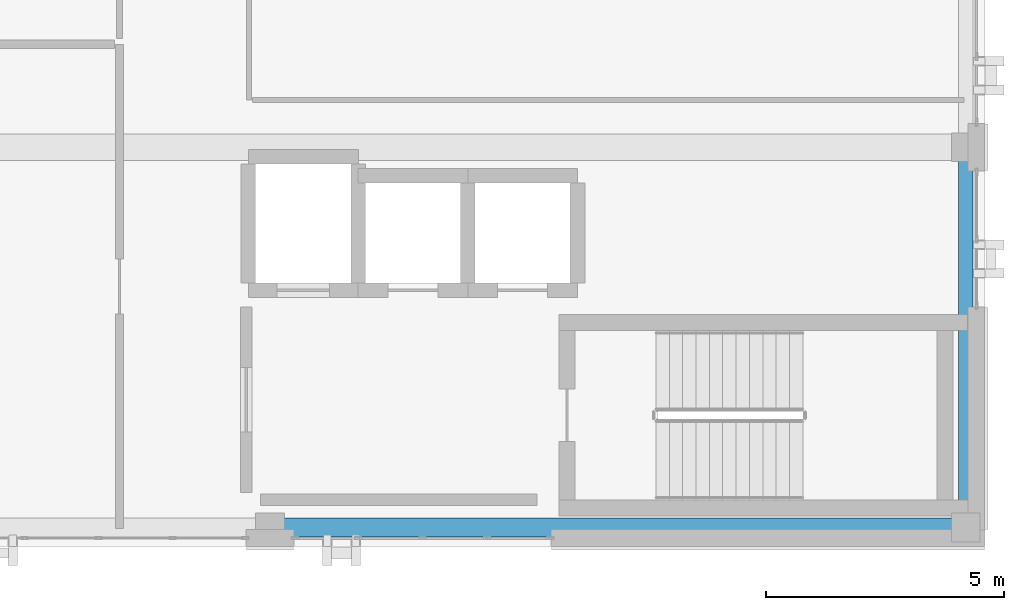
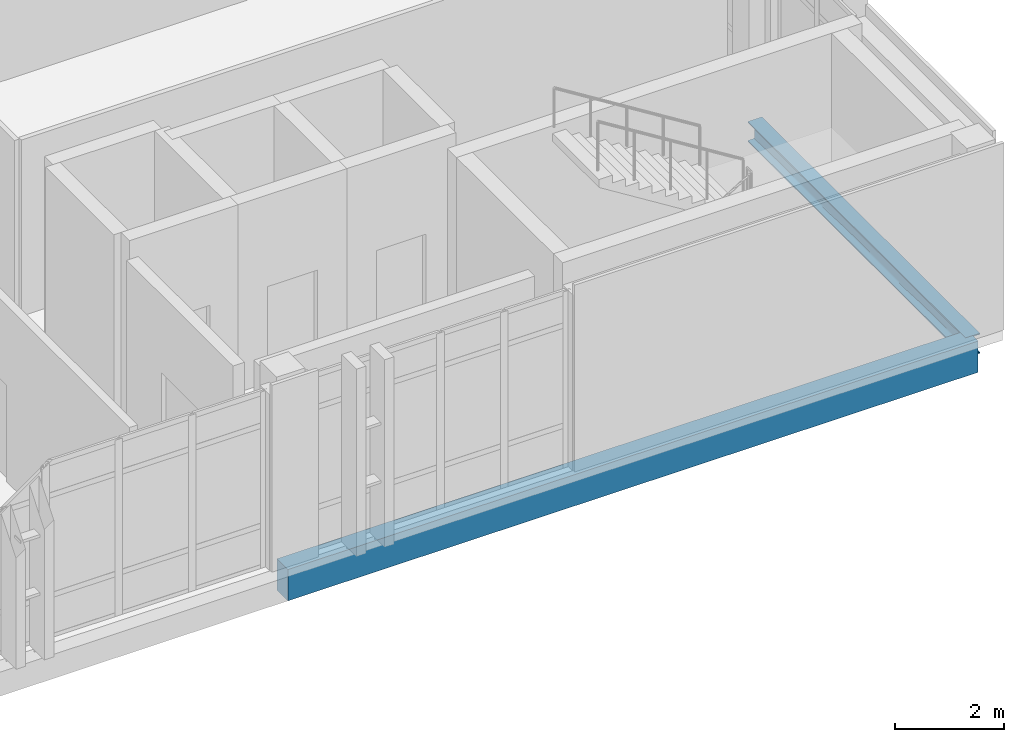
# One storey, part 26 of 48: 2 beams.
"""IFC4 building model written with IfcOpenShell, lengths in metres."""

from ifc_helpers import new_model, si_unit, direction, frame, origin, origin_2d, place, context, subcontext, project, spatial, rectangle, i_section, extrude, material, material_profile, profile_set, type_object, element, save


model = new_model("IFC4")

# Units and contexts
model_context = context("Model", 3, precision=1e-05, world=origin(), true_north=direction((0.0, 1.0)))
body_context = subcontext(model_context, "Body", "Model", "MODEL_VIEW")
ifc_project = project(units=[si_unit("LENGTHUNIT", "METRE"), si_unit("AREAUNIT", "SQUARE_METRE"), si_unit("VOLUMEUNIT", "CUBIC_METRE"), si_unit("PLANEANGLEUNIT", "RADIAN"), si_unit("MASSUNIT", "GRAM", prefix="KILO")], contexts=[model_context])

# Site, building, storey
site_placement = place(None, origin())
site = spatial("IfcSite", under=ifc_project, at=site_placement, CompositionType="ELEMENT")
building_placement = place(site_placement, origin())
building = spatial("IfcBuilding", under=site, at=building_placement, Name="Qalavern Law Courts", CompositionType="ELEMENT")
storey_placement = place(building_placement, frame((0.0, 0.0, 31.199951171875)))
storey = spatial("IfcBuildingStorey", under=building, at=storey_placement, Name="L07", CompositionType="ELEMENT", Elevation=31.199951171875)

# Beams
ifc_material_1 = material(Name="Steel S355", Category="steel")
ifc_material_profile_1 = material_profile(ifc_material_1, i_section(OverallWidth=0.300048828125, OverallDepth=0.449951171875, WebThickness=0.013916015625, FlangeThickness=0.02587890625, FilletRadius=0.027099609375, at=origin_2d()), Name="HEB 450")
ifc_profile_set_1 = profile_set([ifc_material_profile_1], Name="Steel S355")
beam_type_1 = type_object("IfcBeamType", Name="STR-SP-HEB450", PredefinedType="SPANDREL", material=ifc_profile_set_1)
beam_1_placement = place(storey_placement, frame((106.39990234375, 41.419921875, -0.489990234375), z_axis=(0.0, 1.0, 0.0), x_axis=(-1.0, 0.0, 0.0)))
element("IfcBeam", 1, at=beam_1_placement, inside=storey, type_object=beam_type_1, Name="V4 Y-beam 3-1 L07", PredefinedType="SPANDREL", context=body_context, shape_type="SweptSolid", body=[
    extrude(i_section(OverallWidth=0.300048828125, OverallDepth=0.449951171875, WebThickness=0.013916015625, FlangeThickness=0.02587890625, FilletRadius=0.027099609375, at=origin_2d()), origin(), (0.0, 0.0, 1.0), 7.97998046875),
])
ifc_material_2 = material(Name="Concrete C40/50", Category="concrete")
ifc_material_profile_2 = material_profile(ifc_material_2, rectangle(XDim=0.39990234375, YDim=0.699951171875, at=origin_2d()), Name="RC 400x700")
ifc_profile_set_2 = profile_set([ifc_material_profile_2], Name="Concrete C40/50")
beam_type_2 = type_object("IfcBeamType", Name="STR-SP-RC400x700", PredefinedType="SPANDREL", material=ifc_profile_set_2)
beam_2_placement = place(storey_placement, frame((91.800048828125, 41.419921875, -0.614990234375), z_axis=(1.0, 0.0, 0.0), x_axis=(0.0, 1.0, 0.0)))
element("IfcBeam", 2, at=beam_2_placement, inside=storey, type_object=beam_type_2, Name="V4 X-beam 1-2 L07", PredefinedType="SPANDREL", context=body_context, shape_type="SweptSolid", body=[
    extrude(rectangle(XDim=0.39990234375, YDim=0.699951171875, at=origin_2d()), origin(), (0.0, 0.0, 1.0), 14.599853515625),
])

save(model, "model.ifc")
